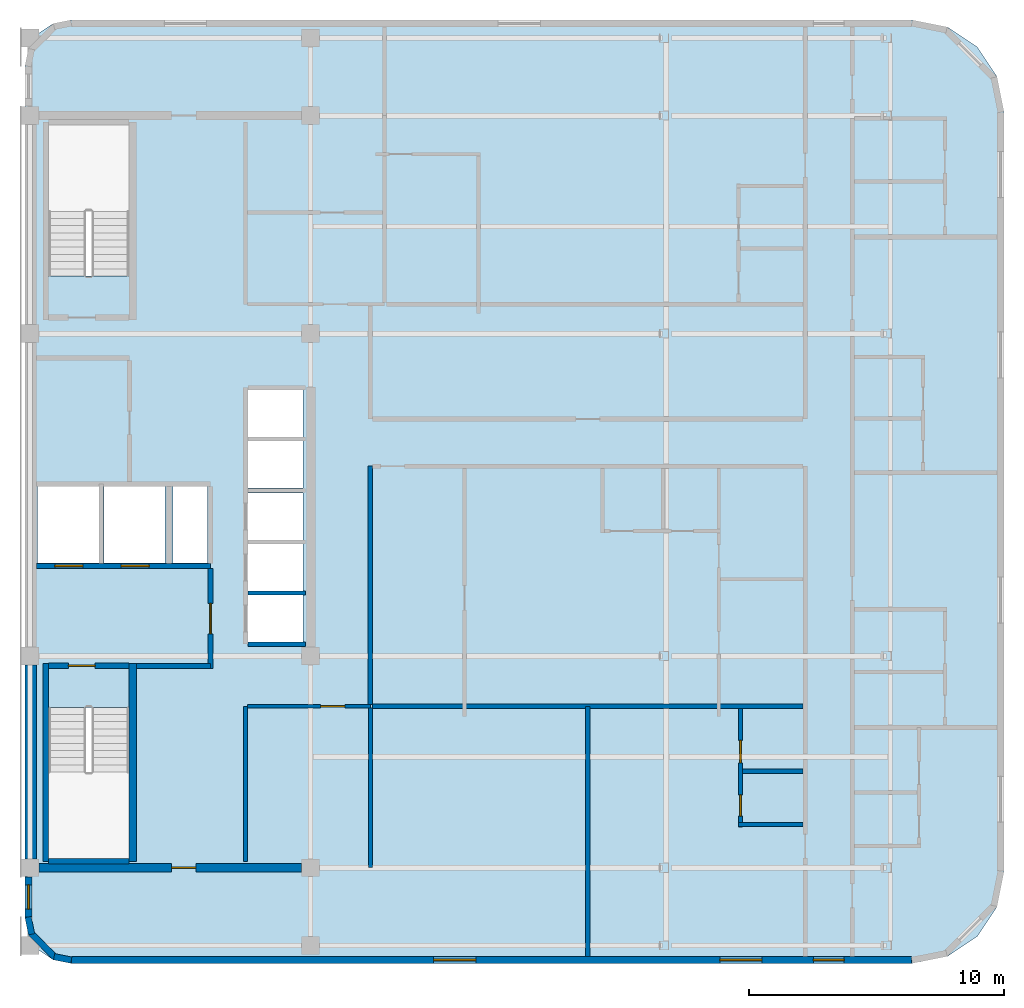
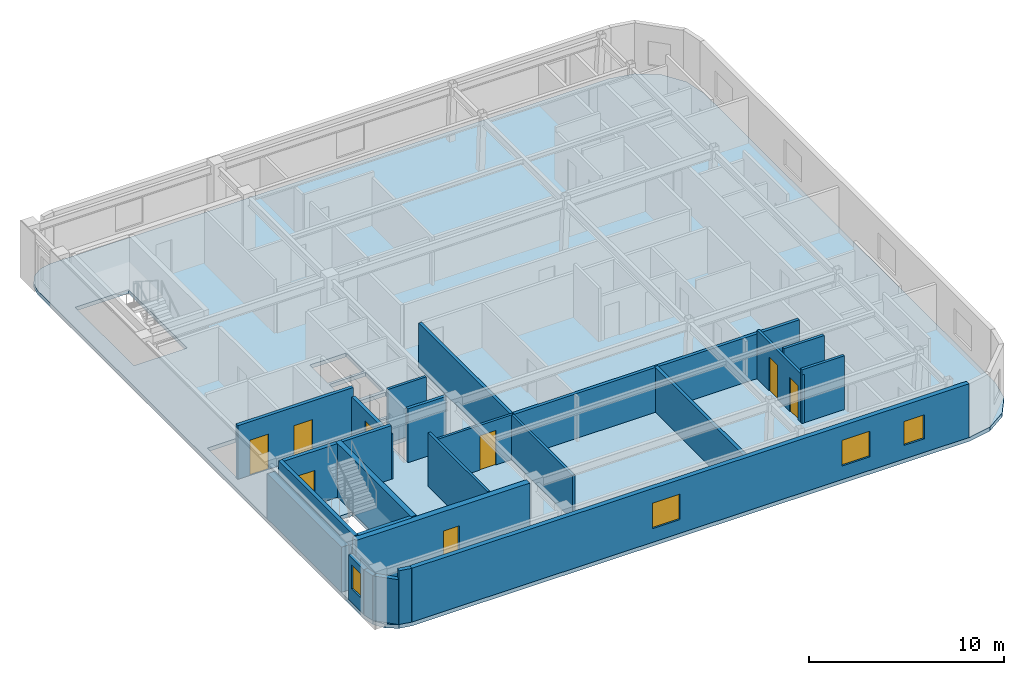
# One storey, part 2 of 6: 25 walls, 8 doors, 4 windows, 1 slab, 12 openings.
"""IFC4 building model written with IfcOpenShell, lengths in metres."""

from ifc_helpers import new_model, si_unit, direction, frame, frame_2d, origin, place, context, subcontext, project, spatial, polyline, rectangle, outline, extrude, material, layer, layer_set, type_object, element, fill, save


model = new_model("IFC4")

# Units and contexts
model_context = context("Model", 3, precision=1e-05, world=origin(), true_north=direction((0.0, 1.0)))
body_context = subcontext(model_context, "Body", "Model", "MODEL_VIEW")
ifc_project = project(units=[si_unit("LENGTHUNIT", "METRE"), si_unit("AREAUNIT", "SQUARE_METRE"), si_unit("VOLUMEUNIT", "CUBIC_METRE"), si_unit("PLANEANGLEUNIT", "RADIAN"), si_unit("MASSUNIT", "GRAM", prefix="KILO")], contexts=[model_context])

# Site, building, storey
site_placement = place(None, origin())
site = spatial("IfcSite", under=ifc_project, at=site_placement, CompositionType="ELEMENT")
building_placement = place(site_placement, origin())
building = spatial("IfcBuilding", under=site, at=building_placement, Name="Ochreholt Gables", CompositionType="ELEMENT")
storey_placement = place(building_placement, frame((0.0, 0.0, 260.39990234375)))
storey = spatial("IfcBuildingStorey", under=building, at=storey_placement, Name="L68", CompositionType="ELEMENT", Elevation=260.39990234375)

# Slab
ifc_material_1 = material(Name="Concrete 40 MPa", Category="concrete")
ifc_layer_1 = layer(ifc_material_1, 0.239990234375, Name="Concrete 40 MPa")
ifc_layer_set_1 = layer_set([ifc_layer_1], Name="Concrete 40 MPa")
slab_type = type_object("IfcSlabType", Name="SLAB-TWR-240", PredefinedType="FLOOR", material=ifc_layer_set_1)
slab_placement = place(storey_placement, frame((0.0, 0.0, -0.239990234375)))
element("IfcSlab", 1, at=slab_placement, inside=storey, type_object=slab_type, Name="L68 Structural Floor Slab", PredefinedType="FLOOR", context=body_context, shape_type="SweptSolid", body=[
    extrude(outline(polyline([(24.0, 7.300048828125), (24.136962890625, 6.611083984375), (24.527099609375, 6.027099609375), (25.111083984375, 5.636962890625), (25.800048828125, 5.5), (58.800048828125, 5.5), (60.177734375, 5.77392578125), (61.345703125, 6.554443359375), (62.1259765625, 7.722412109375), (62.39990234375, 9.10009765625), (62.39990234375, 38.89990234375), (62.1259765625, 40.277587890625), (61.345703125, 41.445556640625), (60.177734375, 42.22607421875), (58.800048828125, 42.5), (25.800048828125, 42.5), (25.111083984375, 42.363037109375), (24.527099609375, 41.972900390625), (24.136962890625, 41.388916015625), (24.0, 40.699951171875), (24.0, 7.300048828125)]), holes=[polyline([(24.919921875, 15.539306640625), (24.919921875, 9.52001953125), (28.080078125, 9.52001953125), (28.080078125, 15.539306640625), (24.919921875, 15.539306640625)]), polyline([(28.080078125, 32.460693359375), (28.080078125, 38.47998046875), (24.919921875, 38.47998046875), (24.919921875, 32.460693359375), (28.080078125, 32.460693359375)]), polyline([(24.5, 21.199951171875), (26.89990234375, 21.199951171875), (26.89990234375, 24.199951171875), (24.5, 24.199951171875), (24.5, 21.199951171875)]), polyline([(27.10009765625, 21.199951171875), (29.5, 21.199951171875), (29.5, 24.199951171875), (27.10009765625, 24.199951171875), (27.10009765625, 21.199951171875)]), polyline([(32.75, 18.10009765625), (34.89990234375, 18.10009765625), (34.89990234375, 19.949951171875), (32.75, 19.949951171875), (32.75, 18.10009765625)]), polyline([(32.75, 20.10009765625), (34.89990234375, 20.10009765625), (34.89990234375, 21.949951171875), (32.75, 21.949951171875), (32.75, 20.10009765625)]), polyline([(32.75, 22.10009765625), (34.89990234375, 22.10009765625), (34.89990234375, 23.949951171875), (32.75, 23.949951171875), (32.75, 22.10009765625)]), polyline([(32.75, 24.14990234375), (34.89990234375, 24.14990234375), (34.89990234375, 26.0), (32.75, 26.0), (32.75, 24.14990234375)]), polyline([(32.75, 26.14990234375), (34.89990234375, 26.14990234375), (34.89990234375, 28.0), (32.75, 28.0), (32.75, 26.14990234375)]), polyline([(29.800048828125, 21.199951171875), (31.14990234375, 21.199951171875), (31.14990234375, 24.199951171875), (29.800048828125, 24.199951171875), (29.800048828125, 21.199951171875)])]), origin(), (0.0, 0.0, 1.0), 0.239990234375),
])

# Wall, opening, door
ifc_material_2 = material(Name="Concrete 50 MPa", Category="concrete")
ifc_layer_2 = layer(ifc_material_2, 0.35009765625, Name="Concrete 50 MPa")
ifc_layer_set_2 = layer_set([ifc_layer_2], Name="Concrete 50 MPa")
wall_type_1 = type_object("IfcWallType", Name="WALL-CSW-350", PredefinedType="SHEAR", material=ifc_layer_set_2)
wall_1_placement = place(storey_placement, frame((24.550048828125, 9.25, 0.0), z_axis=(0.0, 0.0, 1.0), x_axis=(1.0, 0.0, 0.0)))
wall_1 = element("IfcWall", 2, at=wall_1_placement, inside=storey, type_object=wall_type_1, Name="L68 Core South Shear Wall", PredefinedType="SHEAR", context=body_context, shape_type="SweptSolid", body=[
    extrude(rectangle(XDim=10.300048828125, YDim=0.35009765625, at=frame_2d((5.14990234375, 0.0))), origin(), (0.0, 0.0, 1.0), 3.360107421875),
])
opening_1_placement = place(wall_1_placement, frame((5.199951171875, 0.0, 0.0)))
opening_1 = element("IfcOpeningElement", 3, at=opening_1_placement, cuts=wall_1, Name="Opening D-FL2", PredefinedType="OPENING", context=body_context, shape_type="SweptSolid", body=[
    extrude(rectangle(XDim=0.949951171875, YDim=2.14990234375, at=frame_2d((0.47509765625, 1.074951171875))), frame((0.0, 0.18505859375, 0.0), z_axis=(0.0, -1.0, 0.0), x_axis=(1.0, 0.0, 0.0)), (0.0, 0.0, 1.0), 0.3701171875),
])
ifc_material_3 = material(Name="Hollow Metal Steel", Category="steel")
door_type_1 = type_object("IfcDoorType", Name="DR-INT-FLB950", OperationType="NOTDEFINED", PredefinedType="DOOR", material=ifc_material_3)
door_1_placement = place(opening_1_placement, frame((0.949951171875, 0.0, 0.0), z_axis=(0.0, 0.0, 1.0), x_axis=(-1.0, 0.0, 0.0)))
door_1 = element("IfcDoor", 4, at=door_1_placement, inside=storey, type_object=door_type_1, Name="L68 Door D-C3SSL-L68", OperationType="SINGLE_SWING_LEFT", OverallHeight=2.14990234375, OverallWidth=0.949951171875, PredefinedType="DOOR", context=body_context, shape_type="SweptSolid", body=[
    extrude(rectangle(XDim=0.949951171875, YDim=2.14990234375, at=frame_2d((0.47509765625, 1.074951171875))), frame((0.0, 0.02490234375, 0.0), z_axis=(0.0, -1.0, 0.0), x_axis=(1.0, 0.0, 0.0)), (0.0, 0.0, 1.0), 0.050048828125),
])
fill(opening_1, door_1)

# Wall
ifc_layer_3 = layer(ifc_material_2, 0.449951171875, Name="Concrete 50 MPa")
ifc_layer_set_3 = layer_set([ifc_layer_3], Name="Concrete 50 MPa")
wall_type_2 = type_object("IfcWallType", Name="WALL-CSW-EXT", PredefinedType="SHEAR", material=ifc_layer_set_3)
wall_2_placement = place(storey_placement, frame((24.22509765625, 9.60009765625, 0.0), z_axis=(0.0, 0.0, 1.0), x_axis=(0.0, 1.0, 0.0)))
element("IfcWall", 5, at=wall_2_placement, inside=storey, type_object=wall_type_2, Name="L68 Core West Shear Wall WS", PredefinedType="SHEAR", context=body_context, shape_type="SweptSolid", body=[
    extrude(rectangle(XDim=7.599853515625, YDim=0.449951171875, at=frame_2d((3.7998046875, 0.0))), origin(), (0.0, 0.0, 1.0), 2.821044921875),
])

# Wall, openings, windows
ifc_material_4 = material(Name="Precast concrete 40 MPa", Category="concrete")
ifc_layer_4 = layer(ifc_material_4, 0.27001953125, Name="Precast concrete 40 MPa")
ifc_layer_set_4 = layer_set([ifc_layer_4], Name="Precast concrete 40 MPa")
wall_type_3 = type_object("IfcWallType", Name="WALL-EXT-270", PredefinedType="SOLIDWALL", material=ifc_layer_set_4)
wall_3_placement = place(storey_placement, frame((25.820068359375, 5.635009765625, 0.0), z_axis=(0.0, 0.0, 1.0), x_axis=(1.0, 0.0, 0.0)))
wall_3 = element("IfcWall", 6, at=wall_3_placement, inside=storey, type_object=wall_type_3, Name="L68 South Exterior Wall", PredefinedType="SOLIDWALL", context=body_context, shape_type="SweptSolid", body=[
    extrude(rectangle(XDim=32.9599609375, YDim=0.27001953125, at=frame_2d((16.47998046875, 0.0))), origin(), (0.0, 0.0, 1.0), 3.360107421875),
])
opening_2_placement = place(wall_3_placement, frame((14.21240234375, 0.0, 0.85009765625)))
opening_2 = element("IfcOpeningElement", 7, at=opening_2_placement, cuts=wall_3, Name="Opening WN-7", PredefinedType="OPENING", context=body_context, shape_type="SweptSolid", body=[
    extrude(rectangle(XDim=1.64990234375, YDim=1.60009765625, at=frame_2d((0.824951171875, 0.800048828125))), frame((0.0, 0.14501953125, 0.0), z_axis=(0.0, -1.0, 0.0), x_axis=(1.0, 0.0, 0.0)), (0.0, 0.0, 1.0), 0.2900390625),
])
opening_3_placement = place(wall_3_placement, frame((25.431396484375, 0.0, 0.85009765625)))
opening_3 = element("IfcOpeningElement", 8, at=opening_3_placement, cuts=wall_3, Name="Opening WN-7", PredefinedType="OPENING", context=body_context, shape_type="SweptSolid", body=[
    extrude(rectangle(XDim=1.64990234375, YDim=1.60009765625, at=frame_2d((0.824951171875, 0.800048828125))), frame((0.0, 0.14501953125, 0.0), z_axis=(0.0, -1.0, 0.0), x_axis=(1.0, 0.0, 0.0)), (0.0, 0.0, 1.0), 0.2900390625),
])
opening_4_placement = place(wall_3_placement, frame((29.10498046875, 0.0, 0.85009765625)))
opening_4 = element("IfcOpeningElement", 9, at=opening_4_placement, cuts=wall_3, Name="Opening WN-3", PredefinedType="OPENING", context=body_context, shape_type="SweptSolid", body=[
    extrude(rectangle(XDim=1.199951171875, YDim=1.5, at=frame_2d((0.60009765625, 0.75))), frame((0.0, 0.14501953125, 0.0), z_axis=(0.0, -1.0, 0.0), x_axis=(1.0, 0.0, 0.0)), (0.0, 0.0, 1.0), 0.2900390625),
])
ifc_material_5 = material(Name="Triple-Glazed Thermally Broken Aluminium Window", Category="aluminium")
window_type_1 = type_object("IfcWindowType", Name="WIN-RES-1200", PartitioningType="SINGLE_PANEL", PredefinedType="WINDOW", material=ifc_material_5)
window_1_placement = place(opening_4_placement, origin())
window_1 = element("IfcWindow", 10, at=window_1_placement, inside=storey, type_object=window_type_1, Name="L68 Window W-EXT-S-L68-3", OverallHeight=1.5, OverallWidth=1.199951171875, PartitioningType="SINGLE_PANEL", PredefinedType="WINDOW", context=body_context, shape_type="SweptSolid", body=[
    extrude(rectangle(XDim=1.199951171875, YDim=1.5, at=frame_2d((0.60009765625, 0.75))), frame((0.0, 0.030029296875, 0.0), z_axis=(0.0, -1.0, 0.0), x_axis=(1.0, 0.0, 0.0)), (0.0, 0.0, 1.0), 0.06005859375),
])
fill(opening_4, window_1)
window_type_2 = type_object("IfcWindowType", Name="WIN-RES-1650", PartitioningType="SINGLE_PANEL", PredefinedType="WINDOW", material=ifc_material_5)
window_2_placement = place(opening_2_placement, origin())
window_2 = element("IfcWindow", 11, at=window_2_placement, inside=storey, type_object=window_type_2, Name="L68 Window W-EXT-S-L68-1", OverallHeight=1.60009765625, OverallWidth=1.64990234375, PartitioningType="SINGLE_PANEL", PredefinedType="WINDOW", context=body_context, shape_type="SweptSolid", body=[
    extrude(rectangle(XDim=1.64990234375, YDim=1.60009765625, at=frame_2d((0.824951171875, 0.800048828125))), frame((0.0, 0.030029296875, 0.0), z_axis=(0.0, -1.0, 0.0), x_axis=(1.0, 0.0, 0.0)), (0.0, 0.0, 1.0), 0.06005859375),
])
fill(opening_2, window_2)
window_3_placement = place(opening_3_placement, origin())
window_3 = element("IfcWindow", 12, at=window_3_placement, inside=storey, type_object=window_type_2, Name="L68 Window W-EXT-S-L68-2", OverallHeight=1.60009765625, OverallWidth=1.64990234375, PartitioningType="SINGLE_PANEL", PredefinedType="WINDOW", context=body_context, shape_type="SweptSolid", body=[
    extrude(rectangle(XDim=1.64990234375, YDim=1.60009765625, at=frame_2d((0.824951171875, 0.800048828125))), frame((0.0, 0.030029296875, 0.0), z_axis=(0.0, -1.0, 0.0), x_axis=(1.0, 0.0, 0.0)), (0.0, 0.0, 1.0), 0.06005859375),
])
fill(opening_3, window_3)

# Wall, opening, window
wall_4_placement = place(storey_placement, frame((24.135009765625, 7.320068359375, 0.0), z_axis=(0.0, 0.0, 1.0), x_axis=(0.0, 1.0, 0.0)))
wall_4 = element("IfcWall", 13, at=wall_4_placement, inside=storey, type_object=wall_type_3, Name="L68 West Facade South Bay Wall", PredefinedType="SOLIDWALL", context=body_context, shape_type="SweptSolid", body=[
    extrude(rectangle(XDim=1.559814453125, YDim=0.27001953125, at=frame_2d((0.77978515625, 0.0))), origin(), (0.0, 0.0, 1.0), 2.802978515625),
])
opening_5_placement = place(wall_4_placement, frame((0.304931640625, 0.0, 0.85009765625)))
opening_5 = element("IfcOpeningElement", 14, at=opening_5_placement, cuts=wall_4, Name="Opening WN-10", PredefinedType="OPENING", context=body_context, shape_type="SweptSolid", body=[
    extrude(rectangle(XDim=0.949951171875, YDim=1.5, at=frame_2d((0.47509765625, 0.75))), frame((0.0, 0.14501953125, 0.0), z_axis=(0.0, -1.0, 0.0), x_axis=(1.0, 0.0, 0.0)), (0.0, 0.0, 1.0), 0.2900390625),
])
window_type_3 = type_object("IfcWindowType", Name="WIN-RES-950", PartitioningType="SINGLE_PANEL", PredefinedType="WINDOW", material=ifc_material_5)
window_4_placement = place(opening_5_placement, origin())
window_4 = element("IfcWindow", 15, at=window_4_placement, inside=storey, type_object=window_type_3, Name="L68 South Sky Lounge West Window", OverallHeight=1.5, OverallWidth=0.949951171875, PartitioningType="SINGLE_PANEL", PredefinedType="WINDOW", context=body_context, shape_type="SweptSolid", body=[
    extrude(rectangle(XDim=0.949951171875, YDim=1.5, at=frame_2d((0.47509765625, 0.75))), frame((0.0, 0.030029296875, 0.0), z_axis=(0.0, -1.0, 0.0), x_axis=(1.0, 0.0, 0.0)), (0.0, 0.0, 1.0), 0.06005859375),
])
fill(opening_5, window_4)

# Walls
ifc_layer_5 = layer(ifc_material_4, 0.25, Name="Precast concrete 40 MPa")
ifc_layer_set_5 = layer_set([ifc_layer_5], Name="Precast concrete 40 MPa")
wall_type_4 = type_object("IfcWallType", Name="WALL-EXT-CNR", PredefinedType="SOLIDWALL", material=ifc_layer_set_5)
wall_5_placement = place(storey_placement, frame((24.124267578125, 7.31640625, 0.0), z_axis=(0.0, 0.0, 1.0), x_axis=(0.194952956674, -0.980812594069, 0.0)))
element("IfcWall", 16, at=wall_5_placement, inside=storey, type_object=wall_type_4, Name="L68 Rounded Corner Wall SW-1", PredefinedType="SOLIDWALL", context=body_context, shape_type="SweptSolid", body=[
    extrude(rectangle(XDim=0.686279296875, YDim=0.25, at=frame_2d((0.34326171875, 0.0))), origin(), (0.0, 0.0, 1.0), 2.802978515625),
])
wall_6_placement = place(storey_placement, frame((24.23095703125, 6.69384765625, 0.0), z_axis=(0.0, 0.0, 1.0), x_axis=(0.707106781187, -0.707106781187, 0.0)))
element("IfcWall", 17, at=wall_6_placement, inside=storey, type_object=wall_type_4, Name="L68 Rounded Corner Wall SW-2", PredefinedType="SOLIDWALL", context=body_context, shape_type="SweptSolid", body=[
    extrude(rectangle(XDim=1.36181640625, YDim=0.25, at=frame_2d((0.680908203125, 0.0))), origin(), (0.0, 0.0, 1.0), 2.802978515625),
])
wall_7_placement = place(storey_placement, frame((25.143310546875, 5.758056640625, 0.0), z_axis=(0.0, 0.0, 1.0), x_axis=(0.980812594069, -0.194952956674, 0.0)))
element("IfcWall", 18, at=wall_7_placement, inside=storey, type_object=wall_type_4, Name="L68 Rounded Corner Wall SW-3", PredefinedType="SOLIDWALL", context=body_context, shape_type="SweptSolid", body=[
    extrude(rectangle(XDim=0.686279296875, YDim=0.25, at=frame_2d((0.34326171875, 0.0))), origin(), (0.0, 0.0, 1.0), 3.360107421875),
])

# Wall, openings, doors
ifc_layer_6 = layer(ifc_material_1, 0.199951171875, Name="Concrete 40 MPa")
ifc_layer_set_6 = layer_set([ifc_layer_6], Name="Concrete 40 MPa")
wall_type_5 = type_object("IfcWallType", Name="WALL-INT-CF200", PredefinedType="STANDARD", material=ifc_layer_set_6)
wall_8_placement = place(storey_placement, frame((24.449951171875, 21.090087890625, 0.0), z_axis=(0.0, 0.0, 1.0), x_axis=(1.0, 0.0, 0.0)))
wall_8 = element("IfcWall", 19, at=wall_8_placement, inside=storey, type_object=wall_type_5, Name="L68 Interior Wall WI-FFN-L68", PredefinedType="STANDARD", context=body_context, shape_type="SweptSolid", body=[
    extrude(rectangle(XDim=6.830078125, YDim=0.199951171875, at=frame_2d((3.4150390625, 0.0))), origin(), (0.0, 0.0, 1.0), 3.360107421875),
])
opening_6_placement = place(wall_8_placement, frame((0.719970703125, 0.0, 0.0)))
opening_6 = element("IfcOpeningElement", 20, at=opening_6_placement, cuts=wall_8, Name="Opening LD-FF", PredefinedType="OPENING", context=body_context, shape_type="SweptSolid", body=[
    extrude(rectangle(XDim=1.10009765625, YDim=2.199951171875, at=frame_2d((0.550048828125, 1.10009765625))), frame((0.0, 0.10986328125, 0.0), z_axis=(0.0, -1.0, 0.0), x_axis=(1.0, 0.0, 0.0)), (0.0, 0.0, 1.0), 0.219970703125),
])
opening_7_placement = place(wall_8_placement, frame((3.320068359375, 0.0, 0.0)))
opening_7 = element("IfcOpeningElement", 21, at=opening_7_placement, cuts=wall_8, Name="Opening LD-FF", PredefinedType="OPENING", context=body_context, shape_type="SweptSolid", body=[
    extrude(rectangle(XDim=1.10009765625, YDim=2.199951171875, at=frame_2d((0.550048828125, 1.10009765625))), frame((0.0, 0.10986328125, 0.0), z_axis=(0.0, -1.0, 0.0), x_axis=(1.0, 0.0, 0.0)), (0.0, 0.0, 1.0), 0.219970703125),
])
ifc_material_6 = material(Name="Stainless Steel", Category="steel")
door_type_2 = type_object("IfcDoorType", Name="DR-LFT-FF1100", OperationType="NOTDEFINED", PredefinedType="DOOR", material=ifc_material_6)
door_2_placement = place(opening_6_placement, origin())
door_2 = element("IfcDoor", 22, at=door_2_placement, inside=storey, type_object=door_type_2, Name="L68 Door LD-FF1-L68", OperationType="SLIDING_TO_LEFT", OverallHeight=2.199951171875, OverallWidth=1.10009765625, PredefinedType="DOOR", context=body_context, shape_type="SweptSolid", body=[
    extrude(rectangle(XDim=1.10009765625, YDim=2.199951171875, at=frame_2d((0.550048828125, 1.10009765625))), frame((0.0, 0.02490234375, 0.0), z_axis=(0.0, -1.0, 0.0), x_axis=(1.0, 0.0, 0.0)), (0.0, 0.0, 1.0), 0.050048828125),
])
fill(opening_6, door_2)
door_3_placement = place(opening_7_placement, origin())
door_3 = element("IfcDoor", 23, at=door_3_placement, inside=storey, type_object=door_type_2, Name="L68 Door LD-FF2-L68", OperationType="SLIDING_TO_LEFT", OverallHeight=2.199951171875, OverallWidth=1.10009765625, PredefinedType="DOOR", context=body_context, shape_type="SweptSolid", body=[
    extrude(rectangle(XDim=1.10009765625, YDim=2.199951171875, at=frame_2d((0.550048828125, 1.10009765625))), frame((0.0, 0.02490234375, 0.0), z_axis=(0.0, -1.0, 0.0), x_axis=(1.0, 0.0, 0.0)), (0.0, 0.0, 1.0), 0.050048828125),
])
fill(opening_7, door_3)

# Wall
wall_9_placement = place(storey_placement, frame((28.3798828125, 17.169921875, 0.0), z_axis=(0.0, 0.0, 1.0), x_axis=(1.0, 0.0, 0.0)))
element("IfcWall", 24, at=wall_9_placement, inside=storey, type_object=wall_type_5, Name="L68 Interior Wall WI-FFS-L68", PredefinedType="STANDARD", context=body_context, shape_type="SweptSolid", body=[
    extrude(rectangle(XDim=2.900146484375, YDim=0.199951171875, at=frame_2d((1.4501953125, 0.0))), origin(), (0.0, 0.0, 1.0), 3.360107421875),
])

# Wall, opening, door
wall_10_placement = place(storey_placement, frame((31.280029296875, 17.070068359375, 0.0), z_axis=(0.0, 0.0, 1.0), x_axis=(0.0, 1.0, 0.0)))
wall_10 = element("IfcWall", 25, at=wall_10_placement, inside=storey, type_object=wall_type_5, Name="L68 Interior Wall WI-FFE-L68", PredefinedType="STANDARD", context=body_context, shape_type="SweptSolid", body=[
    extrude(rectangle(XDim=3.919921875, YDim=0.199951171875, at=frame_2d((1.9599609375, 0.0))), origin(), (0.0, 0.0, 1.0), 2.802978515625),
])
opening_8_placement = place(wall_10_placement, frame((1.35009765625, 0.0, 0.0)))
opening_8 = element("IfcOpeningElement", 26, at=opening_8_placement, cuts=wall_10, Name="Opening D-FFL", PredefinedType="OPENING", context=body_context, shape_type="SweptSolid", body=[
    extrude(rectangle(XDim=1.199951171875, YDim=2.14990234375, at=frame_2d((0.60009765625, 1.074951171875))), frame((0.0, 0.10986328125, 0.0), z_axis=(0.0, -1.0, 0.0), x_axis=(1.0, 0.0, 0.0)), (0.0, 0.0, 1.0), 0.219970703125),
])
door_type_3 = type_object("IfcDoorType", Name="DR-INT-FFL1200", OperationType="NOTDEFINED", PredefinedType="DOOR", material=ifc_material_3)
door_4_placement = place(opening_8_placement, origin())
door_4 = element("IfcDoor", 27, at=door_4_placement, inside=storey, type_object=door_type_3, Name="L68 Door D-FFL-L68", OperationType="SINGLE_SWING_LEFT", OverallHeight=2.14990234375, OverallWidth=1.199951171875, PredefinedType="DOOR", context=body_context, shape_type="SweptSolid", body=[
    extrude(rectangle(XDim=1.199951171875, YDim=2.14990234375, at=frame_2d((0.60009765625, 1.074951171875))), frame((0.0, 0.02490234375, 0.0), z_axis=(0.0, -1.0, 0.0), x_axis=(1.0, 0.0, 0.0)), (0.0, 0.0, 1.0), 0.050048828125),
])
fill(opening_8, door_4)

# Walls
ifc_material_7 = material(Name="Fire-Rated Gypsum Acoustic Partition", Category="gypsum")
ifc_layer_7 = layer(ifc_material_7, 0.179931640625, Name="Fire-Rated Gypsum Acoustic Partition")
ifc_layer_set_7 = layer_set([ifc_layer_7], Name="Fire-Rated Gypsum Acoustic Partition")
wall_type_6 = type_object("IfcWallType", Name="WALL-INT-CR180", PredefinedType="STANDARD", material=ifc_layer_set_7)
wall_11_placement = place(storey_placement, frame((37.550048828125, 15.652587890625, 0.0), z_axis=(0.0, 0.0, 1.0), x_axis=(0.0, 1.0, 0.0)))
element("IfcWall", 28, at=wall_11_placement, inside=storey, type_object=wall_type_6, Name="L68 Interior Wall WI-C3CE0-L68", PredefinedType="STANDARD", context=body_context, shape_type="SweptSolid", body=[
    extrude(rectangle(XDim=9.347412109375, YDim=0.179931640625, at=frame_2d((4.673828125, 0.0))), origin(), (0.0, 0.0, 1.0), 2.802978515625),
])
ifc_material_8 = material(Name="Double-Stud Acoustic Demising Wall", Category="gypsum")
ifc_layer_8 = layer(ifc_material_8, 0.18505859375, Name="Double-Stud Acoustic Demising Wall")
ifc_layer_set_8 = layer_set([ifc_layer_8], Name="Double-Stud Acoustic Demising Wall")
wall_type_7 = type_object("IfcWallType", Name="WALL-INT-DM185", PredefinedType="PARTITIONING", material=ifc_layer_set_8)
wall_12_placement = place(storey_placement, frame((46.074951171875, 5.77001953125, 0.0), z_axis=(0.0, 0.0, 1.0), x_axis=(0.0, 1.0, 0.0)))
element("IfcWall", 29, at=wall_12_placement, inside=storey, type_object=wall_type_7, Name="L68 Interior Wall WI-C3SMX-L68", PredefinedType="PARTITIONING", context=body_context, shape_type="SweptSolid", body=[
    extrude(rectangle(XDim=9.81005859375, YDim=0.18505859375, at=frame_2d((4.905029296875, 0.0))), origin(), (0.0, 0.0, 1.0), 2.802978515625),
])
wall_13_placement = place(storey_placement, frame((37.639892578125, 15.580078125, 0.0), z_axis=(0.0, 0.0, 1.0), x_axis=(1.0, 0.0, 0.0)))
element("IfcWall", 30, at=wall_13_placement, inside=storey, type_object=wall_type_7, Name="L68 Interior Wall WI-C3SMY-L68", PredefinedType="PARTITIONING", context=body_context, shape_type="SweptSolid", body=[
    extrude(rectangle(XDim=16.8701171875, YDim=0.18505859375, at=frame_2d((8.43505859375, 0.0))), origin(), (0.0, 0.0, 1.0), 2.802978515625),
])
ifc_material_9 = material(Name="Moisture-Resistant Plumbing Chase Wall", Category="gypsum")
ifc_layer_9 = layer(ifc_material_9, 0.159912109375, Name="Moisture-Resistant Plumbing Chase Wall")
ifc_layer_set_9 = layer_set([ifc_layer_9], Name="Moisture-Resistant Plumbing Chase Wall")
wall_type_8 = type_object("IfcWallType", Name="WALL-INT-PL160", PredefinedType="PLUMBINGWALL", material=ifc_layer_set_9)
wall_14_placement = place(storey_placement, frame((51.97998046875, 10.93994140625, 0.0), z_axis=(0.0, 0.0, 1.0), x_axis=(1.0, 0.0, 0.0)))
element("IfcWall", 31, at=wall_14_placement, inside=storey, type_object=wall_type_8, Name="L68 Interior Wall WU-L68SM1-WYS", PredefinedType="PLUMBINGWALL", context=body_context, shape_type="SweptSolid", body=[
    extrude(rectangle(XDim=2.530029296875, YDim=0.159912109375, at=frame_2d((1.26513671875, 0.0))), origin(), (0.0, 0.0, 1.0), 3.360107421875),
])

# Wall, openings, doors
wall_15_placement = place(storey_placement, frame((52.06005859375, 10.85009765625, 0.0), z_axis=(0.0, 0.0, 1.0), x_axis=(0.0, 1.0, 0.0)))
wall_15 = element("IfcWall", 32, at=wall_15_placement, inside=storey, type_object=wall_type_8, Name="L68 Interior Wall WU-L68SM1-WX", PredefinedType="PLUMBINGWALL", context=body_context, shape_type="SweptSolid", body=[
    extrude(rectangle(XDim=4.637451171875, YDim=0.159912109375, at=frame_2d((2.31884765625, 0.0))), origin(), (0.0, 0.0, 1.0), 3.0390625),
])
opening_9_placement = place(wall_15_placement, frame((0.419921875, 0.0, 0.0)))
opening_9 = element("IfcOpeningElement", 33, at=opening_9_placement, cuts=wall_15, Name="Opening D-BT2", PredefinedType="OPENING", context=body_context, shape_type="SweptSolid", body=[
    extrude(rectangle(XDim=0.840087890625, YDim=2.1201171875, at=frame_2d((0.419921875, 1.06005859375))), frame((0.0, 0.08984375, 0.0), z_axis=(0.0, -1.0, 0.0), x_axis=(1.0, 0.0, 0.0)), (0.0, 0.0, 1.0), 0.179931640625),
])
opening_10_placement = place(wall_15_placement, frame((2.512939453125, 0.0, 0.0)))
opening_10 = element("IfcOpeningElement", 34, at=opening_10_placement, cuts=wall_15, Name="Opening D-GN2", PredefinedType="OPENING", context=body_context, shape_type="SweptSolid", body=[
    extrude(rectangle(XDim=0.8798828125, YDim=2.1201171875, at=frame_2d((0.43994140625, 1.06005859375))), frame((0.0, 0.08984375, 0.0), z_axis=(0.0, -1.0, 0.0), x_axis=(1.0, 0.0, 0.0)), (0.0, 0.0, 1.0), 0.179931640625),
])
ifc_material_10 = material(Name="Engineered Oak Timber", Category="wood")
door_type_4 = type_object("IfcDoorType", Name="DR-INT-BTH840", OperationType="NOTDEFINED", PredefinedType="DOOR", material=ifc_material_10)
door_5_placement = place(opening_9_placement, origin())
door_5 = element("IfcDoor", 35, at=door_5_placement, inside=storey, type_object=door_type_4, Name="L68 Door D-U-L68SM1-BTH", OperationType="SINGLE_SWING_LEFT", OverallHeight=2.1201171875, OverallWidth=0.840087890625, PredefinedType="DOOR", context=body_context, shape_type="SweptSolid", body=[
    extrude(rectangle(XDim=0.840087890625, YDim=2.1201171875, at=frame_2d((0.419921875, 1.06005859375))), frame((0.0, 0.02490234375, 0.0), z_axis=(0.0, -1.0, 0.0), x_axis=(1.0, 0.0, 0.0)), (0.0, 0.0, 1.0), 0.050048828125),
])
fill(opening_9, door_5)
door_type_5 = type_object("IfcDoorType", Name="DR-INT-GEN880", OperationType="NOTDEFINED", PredefinedType="DOOR", material=ifc_material_10)
door_6_placement = place(opening_10_placement, origin())
door_6 = element("IfcDoor", 36, at=door_6_placement, inside=storey, type_object=door_type_5, Name="L68 Door D-U-L68SM1-KIT", OperationType="SINGLE_SWING_RIGHT", OverallHeight=2.1201171875, OverallWidth=0.8798828125, PredefinedType="DOOR", context=body_context, shape_type="SweptSolid", body=[
    extrude(rectangle(XDim=0.8798828125, YDim=2.1201171875, at=frame_2d((0.43994140625, 1.06005859375))), frame((0.0, 0.02490234375, 0.0), z_axis=(0.0, -1.0, 0.0), x_axis=(1.0, 0.0, 0.0)), (0.0, 0.0, 1.0), 0.050048828125),
])
fill(opening_10, door_6)

# Walls
wall_16_placement = place(storey_placement, frame((52.139892578125, 13.032958984375, 0.0), z_axis=(0.0, 0.0, 1.0), x_axis=(1.0, 0.0, 0.0)))
element("IfcWall", 37, at=wall_16_placement, inside=storey, type_object=wall_type_8, Name="L68 Interior Wall WU-L68SM1-WM", PredefinedType="PLUMBINGWALL", context=body_context, shape_type="SweptSolid", body=[
    extrude(rectangle(XDim=2.3701171875, YDim=0.159912109375, at=frame_2d((1.18505859375, 0.0))), origin(), (0.0, 0.0, 1.0), 3.360107421875),
])
ifc_material_11 = material(Name="Lightweight Stud Partition", Category="gypsum")
ifc_layer_10 = layer(ifc_material_11, 0.14501953125, Name="Lightweight Stud Partition")
ifc_layer_set_10 = layer_set([ifc_layer_10], Name="Lightweight Stud Partition")
wall_type_9 = type_object("IfcWallType", Name="WALL-INT-PT145", PredefinedType="PARTITIONING", material=ifc_layer_set_10)
wall_17_placement = place(storey_placement, frame((32.64990234375, 9.5, 0.0), z_axis=(0.0, 0.0, 1.0), x_axis=(0.0, 1.0, 0.0)))
element("IfcWall", 38, at=wall_17_placement, inside=storey, type_object=wall_type_9, Name="L68 Interior Wall WI-RCL-W-L68", PredefinedType="PARTITIONING", context=body_context, shape_type="SweptSolid", body=[
    extrude(rectangle(XDim=6.080078125, YDim=0.14501953125, at=frame_2d((3.0400390625, 0.0))), origin(), (0.0, 0.0, 1.0), 3.360107421875),
])

# Wall, opening, door
wall_18_placement = place(storey_placement, frame((32.722412109375, 15.580078125, 0.0), z_axis=(0.0, 0.0, 1.0), x_axis=(1.0, 0.0, 0.0)))
wall_18 = element("IfcWall", 39, at=wall_18_placement, inside=storey, type_object=wall_type_9, Name="L68 Interior Wall WI-RCL-N-L68", PredefinedType="PARTITIONING", context=body_context, shape_type="SweptSolid", body=[
    extrude(rectangle(XDim=4.82763671875, YDim=0.14501953125, at=frame_2d((2.413818359375, 0.0))), origin(), (0.0, 0.0, 1.0), 2.802978515625),
])
opening_11_placement = place(wall_18_placement, frame((2.87744140625, 0.0, 0.0)))
opening_11 = element("IfcOpeningElement", 40, at=opening_11_placement, cuts=wall_18, Name="Opening D-GN1", PredefinedType="OPENING", context=body_context, shape_type="SweptSolid", body=[
    extrude(rectangle(XDim=0.949951171875, YDim=2.14990234375, at=frame_2d((0.47509765625, 1.074951171875))), frame((0.0, 0.08251953125, 0.0), z_axis=(0.0, -1.0, 0.0), x_axis=(1.0, 0.0, 0.0)), (0.0, 0.0, 1.0), 0.1650390625),
])
door_type_6 = type_object("IfcDoorType", Name="DR-INT-GEN950", OperationType="NOTDEFINED", PredefinedType="DOOR", material=ifc_material_10)
door_7_placement = place(opening_11_placement, origin())
door_7 = element("IfcDoor", 41, at=door_7_placement, inside=storey, type_object=door_type_6, Name="L68 Door D-RCL-L68", OperationType="SINGLE_SWING_LEFT", OverallHeight=2.14990234375, OverallWidth=0.949951171875, PredefinedType="DOOR", context=body_context, shape_type="SweptSolid", body=[
    extrude(rectangle(XDim=0.949951171875, YDim=2.14990234375, at=frame_2d((0.47509765625, 1.074951171875))), frame((0.0, 0.02490234375, 0.0), z_axis=(0.0, -1.0, 0.0), x_axis=(1.0, 0.0, 0.0)), (0.0, 0.0, 1.0), 0.050048828125),
])
fill(opening_11, door_7)

# Walls
wall_19_placement = place(storey_placement, frame((37.550048828125, 9.25, 0.0), z_axis=(0.0, 0.0, 1.0), x_axis=(0.0, 1.0, 0.0)))
element("IfcWall", 42, at=wall_19_placement, inside=storey, type_object=wall_type_9, Name="L68 Interior Wall WI-RCL-E-L68", PredefinedType="PARTITIONING", context=body_context, shape_type="SweptSolid", body=[
    extrude(rectangle(XDim=6.257568359375, YDim=0.14501953125, at=frame_2d((3.12890625, 0.0))), origin(), (0.0, 0.0, 1.0), 2.802978515625),
])
ifc_material_12 = material(Name="Gypsum Shaftliner and Steel Stud", Category="steel")
ifc_layer_11 = layer(ifc_material_12, 0.14990234375, Name="Gypsum Shaftliner and Steel Stud")
ifc_layer_set_11 = layer_set([ifc_layer_11], Name="Gypsum Shaftliner and Steel Stud")
wall_type_10 = type_object("IfcWallType", Name="WALL-INT-SH150", PredefinedType="STANDARD", material=ifc_layer_set_11)
wall_20_placement = place(storey_placement, frame((32.739990234375, 20.02001953125, 0.0), z_axis=(0.0, 0.0, 1.0), x_axis=(1.0, 0.0, 0.0)))
element("IfcWall", 43, at=wall_20_placement, inside=storey, type_object=wall_type_10, Name="L68 Interior Wall WI-LFHE-DH1-L68", PredefinedType="STANDARD", context=body_context, shape_type="SweptSolid", body=[
    extrude(rectangle(XDim=2.260009765625, YDim=0.14990234375, at=frame_2d((1.1298828125, 0.0))), origin(), (0.0, 0.0, 1.0), 3.360107421875),
])
ifc_layer_12 = layer(ifc_material_12, 0.179931640625, Name="Gypsum Shaftliner and Steel Stud")
ifc_layer_set_12 = layer_set([ifc_layer_12], Name="Gypsum Shaftliner and Steel Stud")
wall_type_11 = type_object("IfcWallType", Name="WALL-INT-SH180", PredefinedType="STANDARD", material=ifc_layer_set_12)
wall_21_placement = place(storey_placement, frame((32.739990234375, 18.02001953125, 0.0), z_axis=(0.0, 0.0, 1.0), x_axis=(1.0, 0.0, 0.0)))
element("IfcWall", 44, at=wall_21_placement, inside=storey, type_object=wall_type_11, Name="L68 Interior Wall WI-LFHE-S-L68", PredefinedType="STANDARD", context=body_context, shape_type="SweptSolid", body=[
    extrude(rectangle(XDim=2.260009765625, YDim=0.179931640625, at=frame_2d((1.1298828125, 0.0))), origin(), (0.0, 0.0, 1.0), 3.360107421875),
])
ifc_material_13 = material(Name="Concrete 60 MPa", Category="concrete")
ifc_layer_13 = layer(ifc_material_13, 0.300048828125, Name="Concrete 60 MPa")
ifc_layer_set_13 = layer_set([ifc_layer_13], Name="Concrete 60 MPa")
wall_type_12 = type_object("IfcWallType", Name="WALL-SPN-300", PredefinedType="SHEAR", material=ifc_layer_set_13)
wall_22_placement = place(storey_placement, frame((28.22998046875, 9.5, 0.0), z_axis=(0.0, 0.0, 1.0), x_axis=(0.0, 1.0, 0.0)))
element("IfcWall", 45, at=wall_22_placement, inside=storey, type_object=wall_type_12, Name="L68 Core South Spine Shear Wall", PredefinedType="SHEAR", context=body_context, shape_type="SweptSolid", body=[
    extrude(rectangle(XDim=7.760009765625, YDim=0.300048828125, at=frame_2d((3.8798828125, 0.0))), origin(), (0.0, 0.0, 1.0), 3.360107421875),
])
ifc_layer_14 = layer(ifc_material_2, 0.219970703125, Name="Concrete 50 MPa")
ifc_layer_set_14 = layer_set([ifc_layer_14], Name="Concrete 50 MPa")
wall_type_13 = type_object("IfcWallType", Name="WALL-STW-220", PredefinedType="SHEAR", material=ifc_layer_set_14)
wall_23_placement = place(storey_placement, frame((24.81005859375, 9.5, 0.0), z_axis=(0.0, 0.0, 1.0), x_axis=(0.0, 1.0, 0.0)))
element("IfcWall", 46, at=wall_23_placement, inside=storey, type_object=wall_type_13, Name="L68 Exit Stair 1 West Wall", PredefinedType="SHEAR", context=body_context, shape_type="SweptSolid", body=[
    extrude(rectangle(XDim=7.760009765625, YDim=0.219970703125, at=frame_2d((3.8798828125, 0.0))), origin(), (0.0, 0.0, 1.0), 3.360107421875),
])
wall_24_placement = place(storey_placement, frame((24.919921875, 9.510009765625, 0.0), z_axis=(0.0, 0.0, 1.0), x_axis=(1.0, 0.0, 0.0)))
element("IfcWall", 47, at=wall_24_placement, inside=storey, type_object=wall_type_13, Name="L68 Exit Stair 1 South Wall", PredefinedType="SHEAR", context=body_context, shape_type="SweptSolid", body=[
    extrude(rectangle(XDim=3.16015625, YDim=0.219970703125, at=frame_2d((1.580078125, 0.0))), origin(), (0.0, 0.0, 1.0), 3.360107421875),
])

# Wall, opening, door
wall_25_placement = place(storey_placement, frame((24.919921875, 17.169921875, 0.0), z_axis=(0.0, 0.0, 1.0), x_axis=(1.0, 0.0, 0.0)))
wall_25 = element("IfcWall", 48, at=wall_25_placement, inside=storey, type_object=wall_type_13, Name="L68 Exit Stair 1 North Wall", PredefinedType="SHEAR", context=body_context, shape_type="SweptSolid", body=[
    extrude(rectangle(XDim=3.16015625, YDim=0.219970703125, at=frame_2d((1.580078125, 0.0))), origin(), (0.0, 0.0, 1.0), 3.360107421875),
])
opening_12_placement = place(wall_25_placement, frame((0.780029296875, 0.0, 0.0)))
opening_12 = element("IfcOpeningElement", 49, at=opening_12_placement, cuts=wall_25, Name="Opening D-STC", PredefinedType="OPENING", context=body_context, shape_type="SweptSolid", body=[
    extrude(rectangle(XDim=1.050048828125, YDim=2.14990234375, at=frame_2d((0.52490234375, 1.074951171875))), frame((0.0, 0.119873046875, 0.0), z_axis=(0.0, -1.0, 0.0), x_axis=(1.0, 0.0, 0.0)), (0.0, 0.0, 1.0), 0.239990234375),
])
door_type_7 = type_object("IfcDoorType", Name="DR-INT-ST1050", OperationType="NOTDEFINED", PredefinedType="DOOR", material=ifc_material_3)
door_8_placement = place(opening_12_placement, frame((1.050048828125, 0.0, 0.0), z_axis=(0.0, 0.0, 1.0), x_axis=(-1.0, 0.0, 0.0)))
door_8 = element("IfcDoor", 50, at=door_8_placement, inside=storey, type_object=door_type_7, Name="L68 Door D-ST1-L68", OperationType="SINGLE_SWING_LEFT", OverallHeight=2.14990234375, OverallWidth=1.050048828125, PredefinedType="DOOR", context=body_context, shape_type="SweptSolid", body=[
    extrude(rectangle(XDim=1.050048828125, YDim=2.14990234375, at=frame_2d((0.52490234375, 1.074951171875))), frame((0.0, 0.02490234375, 0.0), z_axis=(0.0, -1.0, 0.0), x_axis=(1.0, 0.0, 0.0)), (0.0, 0.0, 1.0), 0.050048828125),
])
fill(opening_12, door_8)

save(model, "model.ifc")
